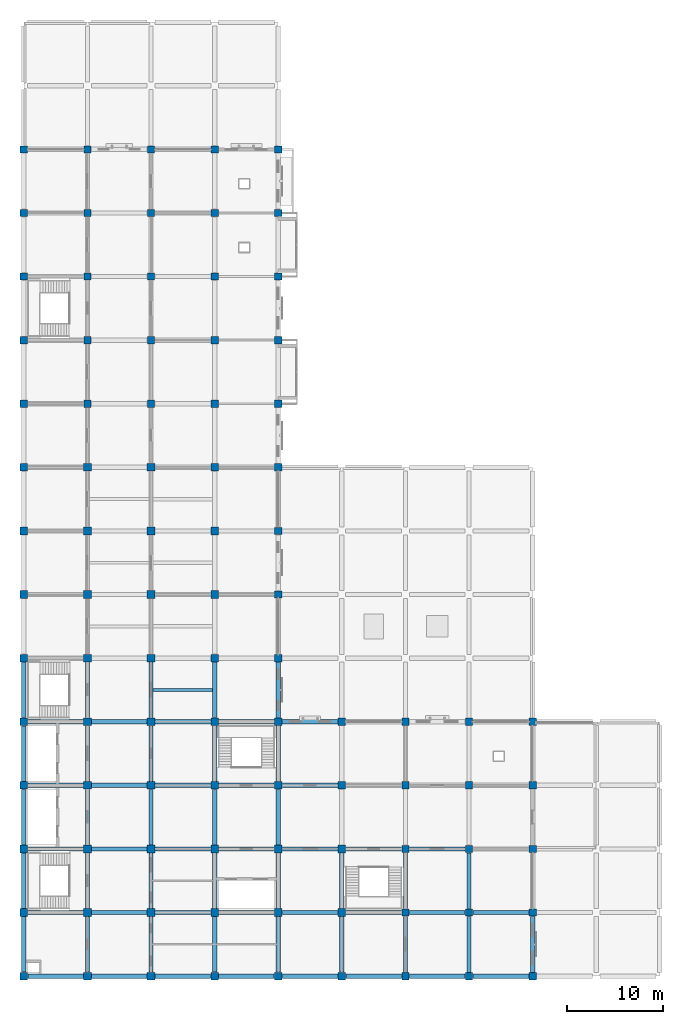
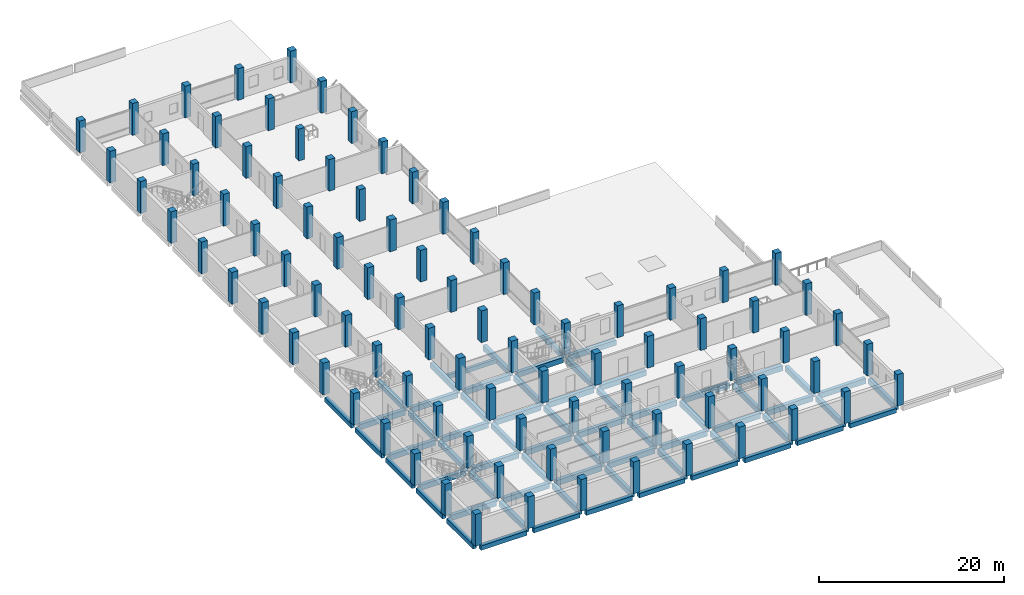
# One storey, part 1 of 23: 90 columns, 66 beams.
"""IFC4 building model written with IfcOpenShell, lengths in metres."""

from ifc_helpers import new_model, si_unit, direction, frame, origin, origin_2d, place, context, subcontext, project, spatial, rectangle, extrude, material, material_profile, profile_set, type_object, element, save


model = new_model("IFC4")

# Units and contexts
model_context = context("Model", 3, precision=1e-05, world=origin(), true_north=direction((0.0, 1.0)))
body_context = subcontext(model_context, "Body", "Model", "MODEL_VIEW")
ifc_project = project(units=[si_unit("LENGTHUNIT", "METRE"), si_unit("AREAUNIT", "SQUARE_METRE"), si_unit("VOLUMEUNIT", "CUBIC_METRE"), si_unit("PLANEANGLEUNIT", "RADIAN"), si_unit("MASSUNIT", "GRAM", prefix="KILO")], contexts=[model_context])

# Site, building, storey
site_placement = place(None, origin())
site = spatial("IfcSite", under=ifc_project, at=site_placement, CompositionType="ELEMENT")
building_placement = place(site_placement, origin())
building = spatial("IfcBuilding", under=site, at=building_placement, Name="Rusizi Kubbe Research Institute", CompositionType="ELEMENT")
storey_placement = place(building_placement, frame((0.0, 0.0, 18.60009765625)))
storey = spatial("IfcBuildingStorey", under=building, at=storey_placement, Name="L04", CompositionType="ELEMENT", Elevation=18.60009765625)

# Columns
ifc_material_1 = material(Name="Concrete C40/50", Category="concrete")
ifc_material_profile_1 = material_profile(ifc_material_1, rectangle(XDim=0.75, YDim=0.75, at=origin_2d()), Name="RC750x750")
ifc_profile_set_1 = profile_set([ifc_material_profile_1], Name="Concrete C40/50")
column_type_1 = type_object("IfcColumnType", Name="COL-750", PredefinedType="COLUMN", material=ifc_profile_set_1)
for number, where, z_axis, x_axis, name in (
    (1, (0.0, 59.39990234375, 0.0), (0.0, 0.0, 1.0), (1.0, 0.0, 0.0), "Column 1K L04"),
    (2, (0.0, 66.0, 0.0), (0.0, 0.0, 1.0), (1.0, 0.0, 0.0), "Column 1L L04"),
    (3, (0.0, 72.60009765625, 0.0), (0.0, 0.0, 1.0), (1.0, 0.0, 0.0), "Column 1M L04"),
    (4, (0.0, 79.199951171875, 0.0), (0.0, 0.0, 1.0), (1.0, 0.0, 0.0), "Column 1N L04"),
    (5, (0.0, 85.800048828125, 0.0), (0.0, 0.0, 1.0), (1.0, 0.0, 0.0), "Column 1P L04"),
    (6, (6.60009765625, 59.39990234375, 0.0), (0.0, 0.0, 1.0), (1.0, 0.0, 0.0), "Column 2K L04"),
    (7, (6.60009765625, 66.0, 0.0), (0.0, 0.0, 1.0), (1.0, 0.0, 0.0), "Column 2L L04"),
    (8, (6.60009765625, 72.60009765625, 0.0), (0.0, 0.0, 1.0), (1.0, 0.0, 0.0), "Column 2M L04"),
    (9, (6.60009765625, 79.199951171875, 0.0), (0.0, 0.0, 1.0), (1.0, 0.0, 0.0), "Column 2N L04"),
    (10, (6.60009765625, 85.800048828125, 0.0), (0.0, 0.0, 1.0), (1.0, 0.0, 0.0), "Column 2P L04"),
    (11, (13.199951171875, 59.39990234375, 0.0), (0.0, 0.0, 1.0), (1.0, 0.0, 0.0), "Column 3K L04"),
    (12, (13.199951171875, 66.0, 0.0), (0.0, 0.0, 1.0), (1.0, 0.0, 0.0), "Column 3L L04"),
    (13, (13.199951171875, 72.60009765625, 0.0), (0.0, 0.0, 1.0), (1.0, 0.0, 0.0), "Column 3M L04"),
    (14, (13.199951171875, 79.199951171875, 0.0), (0.0, 0.0, 1.0), (1.0, 0.0, 0.0), "Column 3N L04"),
    (15, (13.199951171875, 85.800048828125, 0.0), (0.0, 0.0, 1.0), (1.0, 0.0, 0.0), "Column 3P L04"),
    (16, (19.800048828125, 59.39990234375, 0.0), (0.0, 0.0, 1.0), (1.0, 0.0, 0.0), "Column 4K L04"),
    (17, (19.800048828125, 66.0, 0.0), (0.0, 0.0, 1.0), (1.0, 0.0, 0.0), "Column 4L L04"),
    (18, (19.800048828125, 72.60009765625, 0.0), (0.0, 0.0, 1.0), (1.0, 0.0, 0.0), "Column 4M L04"),
    (19, (19.800048828125, 79.199951171875, 0.0), (0.0, 0.0, 1.0), (1.0, 0.0, 0.0), "Column 4N L04"),
    (20, (19.800048828125, 85.800048828125, 0.0), (0.0, 0.0, 1.0), (1.0, 0.0, 0.0), "Column 4P L04"),
    (21, (26.39990234375, 26.39990234375, 0.0), (0.0, 0.0, 1.0), (1.0, 0.0, 0.0), "Column 5E L04"),
    (22, (26.39990234375, 33.0, 0.0), (0.0, 0.0, 1.0), (1.0, 0.0, 0.0), "Column 5F L04"),
    (23, (26.39990234375, 39.60009765625, 0.0), (0.0, 0.0, 1.0), (1.0, 0.0, 0.0), "Column 5G L04"),
    (24, (26.39990234375, 46.199951171875, 0.0), (0.0, 0.0, 1.0), (1.0, 0.0, 0.0), "Column 5H L04"),
    (25, (26.39990234375, 52.800048828125, 0.0), (0.0, 0.0, 1.0), (1.0, 0.0, 0.0), "Column 5J L04"),
    (26, (26.39990234375, 59.39990234375, 0.0), (0.0, 0.0, 1.0), (1.0, 0.0, 0.0), "Column 5K L04"),
    (27, (26.39990234375, 66.0, 0.0), (0.0, 0.0, 1.0), (1.0, 0.0, 0.0), "Column 5L L04"),
    (28, (26.39990234375, 72.60009765625, 0.0), (0.0, 0.0, 1.0), (1.0, 0.0, 0.0), "Column 5M L04"),
    (29, (26.39990234375, 79.199951171875, 0.0), (0.0, 0.0, 1.0), (1.0, 0.0, 0.0), "Column 5N L04"),
    (30, (26.39990234375, 85.800048828125, 0.0), (0.0, 0.0, 1.0), (1.0, 0.0, 0.0), "Column 5P L04"),
    (31, (33.0, 26.39990234375, 0.0), (0.0, 0.0, 1.0), (1.0, 0.0, 0.0), "Column 6E L04"),
    (32, (39.60009765625, 0.0, 0.0), (0.0, 0.0, 1.0), (1.0, 0.0, 0.0), "Column 7A L04"),
    (33, (39.60009765625, 6.60009765625, 0.0), (0.0, 0.0, 1.0), (1.0, 0.0, 0.0), "Column 7B L04"),
    (34, (39.60009765625, 13.199951171875, 0.0), (0.0, 0.0, 1.0), (1.0, 0.0, 0.0), "Column 7C L04"),
    (35, (39.60009765625, 19.800048828125, 0.0), (0.0, 0.0, 1.0), (1.0, 0.0, 0.0), "Column 7D L04"),
    (36, (39.60009765625, 26.39990234375, 0.0), (0.0, 0.0, 1.0), (1.0, 0.0, 0.0), "Column 7E L04"),
    (37, (46.199951171875, 0.0, 0.0), (0.0, 0.0, 1.0), (1.0, 0.0, 0.0), "Column 8A L04"),
    (38, (46.199951171875, 6.60009765625, 0.0), (0.0, 0.0, 1.0), (1.0, 0.0, 0.0), "Column 8B L04"),
    (39, (46.199951171875, 13.199951171875, 0.0), (0.0, 0.0, 1.0), (1.0, 0.0, 0.0), "Column 8C L04"),
    (40, (46.199951171875, 19.800048828125, 0.0), (0.0, 0.0, 1.0), (1.0, 0.0, 0.0), "Column 8D L04"),
    (41, (46.199951171875, 26.39990234375, 0.0), (0.0, 0.0, 1.0), (1.0, 0.0, 0.0), "Column 8E L04"),
    (42, (52.800048828125, 0.0, 0.0), (0.0, 0.0, 1.0), (1.0, 0.0, 0.0), "Column 9A L04"),
    (43, (52.800048828125, 6.60009765625, 0.0), (0.0, 0.0, 1.0), (1.0, 0.0, 0.0), "Column 9B L04"),
    (44, (52.800048828125, 13.199951171875, 0.0), (0.0, 0.0, 1.0), (1.0, 0.0, 0.0), "Column 9C L04"),
    (45, (52.800048828125, 19.800048828125, 0.0), (0.0, 0.0, 1.0), (1.0, 0.0, 0.0), "Column 9D L04"),
    (46, (52.800048828125, 26.39990234375, 0.0), (0.0, 0.0, 1.0), (1.0, 0.0, 0.0), "Column 9E L04"),
):
    element("IfcColumn", number, at=place(storey_placement, frame(where, z_axis=z_axis, x_axis=x_axis)), inside=storey, type_object=column_type_1, Name=name, PredefinedType="COLUMN", context=body_context, shape_type="SweptSolid", body=[
        extrude(rectangle(XDim=0.75, YDim=0.75, at=origin_2d()), origin(), (0.0, 0.0, 1.0), 4.199951171875),
    ])
ifc_material_2 = material(Name="Concrete C45/55", Category="concrete")
ifc_material_profile_2 = material_profile(ifc_material_2, rectangle(XDim=0.800048828125, YDim=0.800048828125, at=origin_2d()), Name="RC800x800")
ifc_profile_set_2 = profile_set([ifc_material_profile_2], Name="Concrete C45/55")
column_type_2 = type_object("IfcColumnType", Name="COL-800", PredefinedType="COLUMN", material=ifc_profile_set_2)
for number, where, z_axis, x_axis, name in (
    (47, (0.0, 0.0, 0.0), (0.0, 0.0, 1.0), (1.0, 0.0, 0.0), "Column 1A L04"),
    (48, (0.0, 6.60009765625, 0.0), (0.0, 0.0, 1.0), (1.0, 0.0, 0.0), "Column 1B L04"),
    (49, (0.0, 13.199951171875, 0.0), (0.0, 0.0, 1.0), (1.0, 0.0, 0.0), "Column 1C L04"),
    (50, (0.0, 19.800048828125, 0.0), (0.0, 0.0, 1.0), (1.0, 0.0, 0.0), "Column 1D L04"),
    (51, (0.0, 26.39990234375, 0.0), (0.0, 0.0, 1.0), (1.0, 0.0, 0.0), "Column 1E L04"),
    (52, (0.0, 33.0, 0.0), (0.0, 0.0, 1.0), (1.0, 0.0, 0.0), "Column 1F L04"),
    (53, (0.0, 39.60009765625, 0.0), (0.0, 0.0, 1.0), (1.0, 0.0, 0.0), "Column 1G L04"),
    (54, (0.0, 46.199951171875, 0.0), (0.0, 0.0, 1.0), (1.0, 0.0, 0.0), "Column 1H L04"),
    (55, (0.0, 52.800048828125, 0.0), (0.0, 0.0, 1.0), (1.0, 0.0, 0.0), "Column 1J L04"),
    (56, (6.60009765625, 0.0, 0.0), (0.0, 0.0, 1.0), (1.0, 0.0, 0.0), "Column 2A L04"),
    (57, (6.60009765625, 6.60009765625, 0.0), (0.0, 0.0, 1.0), (1.0, 0.0, 0.0), "Column 2B L04"),
    (58, (6.60009765625, 13.199951171875, 0.0), (0.0, 0.0, 1.0), (1.0, 0.0, 0.0), "Column 2C L04"),
    (59, (6.60009765625, 19.800048828125, 0.0), (0.0, 0.0, 1.0), (1.0, 0.0, 0.0), "Column 2D L04"),
    (60, (6.60009765625, 26.39990234375, 0.0), (0.0, 0.0, 1.0), (1.0, 0.0, 0.0), "Column 2E L04"),
    (61, (6.60009765625, 33.0, 0.0), (0.0, 0.0, 1.0), (1.0, 0.0, 0.0), "Column 2F L04"),
    (62, (6.60009765625, 39.60009765625, 0.0), (0.0, 0.0, 1.0), (1.0, 0.0, 0.0), "Column 2G L04"),
    (63, (6.60009765625, 46.199951171875, 0.0), (0.0, 0.0, 1.0), (1.0, 0.0, 0.0), "Column 2H L04"),
    (64, (6.60009765625, 52.800048828125, 0.0), (0.0, 0.0, 1.0), (1.0, 0.0, 0.0), "Column 2J L04"),
    (65, (13.199951171875, 0.0, 0.0), (0.0, 0.0, 1.0), (1.0, 0.0, 0.0), "Column 3A L04"),
    (66, (13.199951171875, 6.60009765625, 0.0), (0.0, 0.0, 1.0), (1.0, 0.0, 0.0), "Column 3B L04"),
    (67, (13.199951171875, 13.199951171875, 0.0), (0.0, 0.0, 1.0), (1.0, 0.0, 0.0), "Column 3C L04"),
    (68, (13.199951171875, 19.800048828125, 0.0), (0.0, 0.0, 1.0), (1.0, 0.0, 0.0), "Column 3D L04"),
    (69, (13.199951171875, 26.39990234375, 0.0), (0.0, 0.0, 1.0), (1.0, 0.0, 0.0), "Column 3E L04"),
    (70, (13.199951171875, 33.0, 0.0), (0.0, 0.0, 1.0), (1.0, 0.0, 0.0), "Column 3F L04"),
    (71, (13.199951171875, 39.60009765625, 0.0), (0.0, 0.0, 1.0), (1.0, 0.0, 0.0), "Column 3G L04"),
    (72, (13.199951171875, 46.199951171875, 0.0), (0.0, 0.0, 1.0), (1.0, 0.0, 0.0), "Column 3H L04"),
    (73, (13.199951171875, 52.800048828125, 0.0), (0.0, 0.0, 1.0), (1.0, 0.0, 0.0), "Column 3J L04"),
    (74, (19.800048828125, 0.0, 0.0), (0.0, 0.0, 1.0), (1.0, 0.0, 0.0), "Column 4A L04"),
    (75, (19.800048828125, 6.60009765625, 0.0), (0.0, 0.0, 1.0), (1.0, 0.0, 0.0), "Column 4B L04"),
    (76, (19.800048828125, 13.199951171875, 0.0), (0.0, 0.0, 1.0), (1.0, 0.0, 0.0), "Column 4C L04"),
    (77, (19.800048828125, 19.800048828125, 0.0), (0.0, 0.0, 1.0), (1.0, 0.0, 0.0), "Column 4D L04"),
    (78, (19.800048828125, 26.39990234375, 0.0), (0.0, 0.0, 1.0), (1.0, 0.0, 0.0), "Column 4E L04"),
    (79, (19.800048828125, 33.0, 0.0), (0.0, 0.0, 1.0), (1.0, 0.0, 0.0), "Column 4F L04"),
    (80, (19.800048828125, 39.60009765625, 0.0), (0.0, 0.0, 1.0), (1.0, 0.0, 0.0), "Column 4G L04"),
    (81, (19.800048828125, 46.199951171875, 0.0), (0.0, 0.0, 1.0), (1.0, 0.0, 0.0), "Column 4H L04"),
    (82, (19.800048828125, 52.800048828125, 0.0), (0.0, 0.0, 1.0), (1.0, 0.0, 0.0), "Column 4J L04"),
    (83, (26.39990234375, 0.0, 0.0), (0.0, 0.0, 1.0), (1.0, 0.0, 0.0), "Column 5A L04"),
    (84, (26.39990234375, 6.60009765625, 0.0), (0.0, 0.0, 1.0), (1.0, 0.0, 0.0), "Column 5B L04"),
    (85, (26.39990234375, 13.199951171875, 0.0), (0.0, 0.0, 1.0), (1.0, 0.0, 0.0), "Column 5C L04"),
    (86, (26.39990234375, 19.800048828125, 0.0), (0.0, 0.0, 1.0), (1.0, 0.0, 0.0), "Column 5D L04"),
    (87, (33.0, 0.0, 0.0), (0.0, 0.0, 1.0), (1.0, 0.0, 0.0), "Column 6A L04"),
    (88, (33.0, 6.60009765625, 0.0), (0.0, 0.0, 1.0), (1.0, 0.0, 0.0), "Column 6B L04"),
    (89, (33.0, 13.199951171875, 0.0), (0.0, 0.0, 1.0), (1.0, 0.0, 0.0), "Column 6C L04"),
    (90, (33.0, 19.800048828125, 0.0), (0.0, 0.0, 1.0), (1.0, 0.0, 0.0), "Column 6D L04"),
):
    element("IfcColumn", number, at=place(storey_placement, frame(where, z_axis=z_axis, x_axis=x_axis)), inside=storey, type_object=column_type_2, Name=name, PredefinedType="COLUMN", context=body_context, shape_type="SweptSolid", body=[
        extrude(rectangle(XDim=0.800048828125, YDim=0.800048828125, at=origin_2d()), origin(), (0.0, 0.0, 1.0), 4.199951171875),
    ])

# Beams
ifc_material_3 = material(Name="Concrete C40/50", Category="concrete")
ifc_material_profile_3 = material_profile(ifc_material_3, rectangle(XDim=0.35009765625, YDim=0.550048828125, at=origin_2d()), Name="RC350x550")
ifc_profile_set_3 = profile_set([ifc_material_profile_3], Name="Concrete C40/50")
beam_type_1 = type_object("IfcBeamType", Name="BM-RC350x550", PredefinedType="JOIST", material=ifc_profile_set_3)
beam_1_placement = place(storey_placement, frame((13.425048828125, 29.699951171875, -0.614990234375), z_axis=(1.0, 0.0, 0.0), x_axis=(0.0, 1.0, 0.0)))
element("IfcBeam", 91, at=beam_1_placement, inside=storey, type_object=beam_type_1, Name="Lab Stiffener Joist L04 (2,4)", PredefinedType="JOIST", context=body_context, shape_type="SweptSolid", body=[
    extrude(rectangle(XDim=0.35009765625, YDim=0.550048828125, at=origin_2d()), origin(), (0.0, 0.0, 1.0), 6.14990234375),
])
ifc_material_4 = material(Name="Concrete C40/50", Category="concrete")
ifc_material_profile_4 = material_profile(ifc_material_4, rectangle(XDim=0.449951171875, YDim=0.60009765625, at=origin_2d()), Name="RC450x600")
ifc_profile_set_4 = profile_set([ifc_material_profile_4], Name="Concrete C40/50")
beam_type_2 = type_object("IfcBeamType", Name="BM-RC450x600", PredefinedType="SPANDREL", material=ifc_profile_set_4)
for number, where, z_axis, x_axis, name in (
    (92, (0.425048828125, 0.0, -0.64013671875), (1.0, 0.0, 0.0), (0.0, 1.0, 0.0), "Grid Beam H L04 (0,0)"),
    (93, (7.02490234375, 0.0, -0.64013671875), (1.0, 0.0, 0.0), (0.0, 1.0, 0.0), "Grid Beam H L04 (1,0)"),
    (94, (13.625, 0.0, -0.64013671875), (1.0, 0.0, 0.0), (0.0, 1.0, 0.0), "Grid Beam H L04 (2,0)"),
    (95, (20.22509765625, 0.0, -0.64013671875), (1.0, 0.0, 0.0), (0.0, 1.0, 0.0), "Grid Beam H L04 (3,0)"),
    (96, (26.824951171875, 0.0, -0.64013671875), (1.0, 0.0, 0.0), (0.0, 1.0, 0.0), "Grid Beam H L04 (4,0)"),
):
    element("IfcBeam", number, at=place(storey_placement, frame(where, z_axis=z_axis, x_axis=x_axis)), inside=storey, type_object=beam_type_2, Name=name, PredefinedType="SPANDREL", context=body_context, shape_type="SweptSolid", body=[
        extrude(rectangle(XDim=0.449951171875, YDim=0.60009765625, at=origin_2d()), origin(), (0.0, 0.0, 1.0), 5.75),
    ])
beam_2_placement = place(storey_placement, frame((33.425048828125, 0.0, -0.64013671875), z_axis=(1.0, 0.0, 0.0), x_axis=(0.0, 1.0, 0.0)))
element("IfcBeam", 97, at=beam_2_placement, inside=storey, type_object=beam_type_2, Name="Grid Beam H L04 (5,0)", PredefinedType="SPANDREL", context=body_context, shape_type="SweptSolid", body=[
    extrude(rectangle(XDim=0.449951171875, YDim=0.60009765625, at=origin_2d()), origin(), (0.0, 0.0, 1.0), 5.77490234375),
])
beam_3_placement = place(storey_placement, frame((40.0, 0.0, -0.64013671875), z_axis=(1.0, 0.0, 0.0), x_axis=(0.0, 1.0, 0.0)))
element("IfcBeam", 98, at=beam_3_placement, inside=storey, type_object=beam_type_2, Name="Grid Beam H L04 (6,0)", PredefinedType="SPANDREL", context=body_context, shape_type="SweptSolid", body=[
    extrude(rectangle(XDim=0.449951171875, YDim=0.60009765625, at=origin_2d()), origin(), (0.0, 0.0, 1.0), 5.800048828125),
])
beam_4_placement = place(storey_placement, frame((46.60009765625, 0.0, -0.64013671875), z_axis=(1.0, 0.0, 0.0), x_axis=(0.0, 1.0, 0.0)))
element("IfcBeam", 99, at=beam_4_placement, inside=storey, type_object=beam_type_2, Name="Grid Beam H L04 (7,0)", PredefinedType="SPANDREL", context=body_context, shape_type="SweptSolid", body=[
    extrude(rectangle(XDim=0.449951171875, YDim=0.60009765625, at=origin_2d()), origin(), (0.0, 0.0, 1.0), 5.7998046875),
])
for number, where, z_axis, x_axis, name in (
    (100, (0.0, 0.425048828125, -0.64013671875), (0.0, 1.0, 0.0), (-1.0, 0.0, 0.0), "Grid Beam V L04 (0,0)"),
    (101, (0.0, 7.02490234375, -0.64013671875), (0.0, 1.0, 0.0), (-1.0, 0.0, 0.0), "Grid Beam V L04 (0,1)"),
    (102, (0.0, 13.625, -0.64013671875), (0.0, 1.0, 0.0), (-1.0, 0.0, 0.0), "Grid Beam V L04 (0,2)"),
    (103, (0.0, 20.22509765625, -0.64013671875), (0.0, 1.0, 0.0), (-1.0, 0.0, 0.0), "Grid Beam V L04 (0,3)"),
    (104, (0.0, 26.824951171875, -0.64013671875), (0.0, 1.0, 0.0), (-1.0, 0.0, 0.0), "Grid Beam V L04 (0,4)"),
):
    element("IfcBeam", number, at=place(storey_placement, frame(where, z_axis=z_axis, x_axis=x_axis)), inside=storey, type_object=beam_type_2, Name=name, PredefinedType="SPANDREL", context=body_context, shape_type="SweptSolid", body=[
        extrude(rectangle(XDim=0.449951171875, YDim=0.60009765625, at=origin_2d()), origin(), (0.0, 0.0, 1.0), 5.75),
    ])
ifc_material_5 = material(Name="Concrete C40/50", Category="concrete")
ifc_material_profile_5 = material_profile(ifc_material_5, rectangle(XDim=0.449951171875, YDim=0.699951171875, at=origin_2d()), Name="RC450x700B")
ifc_profile_set_5 = profile_set([ifc_material_profile_5], Name="Concrete C40/50")
beam_type_3 = type_object("IfcBeamType", Name="BM-RC450x700", PredefinedType="BEAM", material=ifc_profile_set_5)
for number, where, z_axis, x_axis, name in (
    (105, (0.425048828125, 6.60009765625, -0.690185546875), (1.0, 0.0, 0.0), (0.0, 1.0, 0.0), "Grid Beam H L04 (0,1)"),
    (106, (0.425048828125, 13.199951171875, -0.690185546875), (1.0, 0.0, 0.0), (0.0, 1.0, 0.0), "Grid Beam H L04 (0,2)"),
    (107, (0.425048828125, 19.800048828125, -0.690185546875), (1.0, 0.0, 0.0), (0.0, 1.0, 0.0), "Grid Beam H L04 (0,3)"),
    (108, (0.425048828125, 26.39990234375, -0.690185546875), (1.0, 0.0, 0.0), (0.0, 1.0, 0.0), "Grid Beam H L04 (0,4)"),
    (109, (7.02490234375, 6.60009765625, -0.690185546875), (1.0, 0.0, 0.0), (0.0, 1.0, 0.0), "Grid Beam H L04 (1,1)"),
    (110, (7.02490234375, 13.199951171875, -0.690185546875), (1.0, 0.0, 0.0), (0.0, 1.0, 0.0), "Grid Beam H L04 (1,2)"),
    (111, (7.02490234375, 19.800048828125, -0.690185546875), (1.0, 0.0, 0.0), (0.0, 1.0, 0.0), "Grid Beam H L04 (1,3)"),
    (112, (7.02490234375, 26.39990234375, -0.690185546875), (1.0, 0.0, 0.0), (0.0, 1.0, 0.0), "Grid Beam H L04 (1,4)"),
    (113, (13.625, 6.60009765625, -0.690185546875), (1.0, 0.0, 0.0), (0.0, 1.0, 0.0), "Grid Beam H L04 (2,1)"),
    (114, (13.625, 13.199951171875, -0.690185546875), (1.0, 0.0, 0.0), (0.0, 1.0, 0.0), "Grid Beam H L04 (2,2)"),
    (115, (13.625, 19.800048828125, -0.690185546875), (1.0, 0.0, 0.0), (0.0, 1.0, 0.0), "Grid Beam H L04 (2,3)"),
    (116, (13.625, 26.39990234375, -0.690185546875), (1.0, 0.0, 0.0), (0.0, 1.0, 0.0), "Grid Beam H L04 (2,4)"),
    (117, (20.22509765625, 6.60009765625, -0.690185546875), (1.0, 0.0, 0.0), (0.0, 1.0, 0.0), "Grid Beam H L04 (3,1)"),
    (118, (20.22509765625, 13.199951171875, -0.690185546875), (1.0, 0.0, 0.0), (0.0, 1.0, 0.0), "Grid Beam H L04 (3,2)"),
    (119, (20.22509765625, 19.800048828125, -0.690185546875), (1.0, 0.0, 0.0), (0.0, 1.0, 0.0), "Grid Beam H L04 (3,3)"),
):
    element("IfcBeam", number, at=place(storey_placement, frame(where, z_axis=z_axis, x_axis=x_axis)), inside=storey, type_object=beam_type_3, Name=name, PredefinedType="BEAM", context=body_context, shape_type="SweptSolid", body=[
        extrude(rectangle(XDim=0.449951171875, YDim=0.699951171875, at=origin_2d()), origin(), (0.0, 0.0, 1.0), 5.75),
    ])
beam_5_placement = place(storey_placement, frame((20.22509765625, 26.39990234375, -0.690185546875), z_axis=(1.0, 0.0, 0.0), x_axis=(0.0, 1.0, 0.0)))
element("IfcBeam", 120, at=beam_5_placement, inside=storey, type_object=beam_type_3, Name="Grid Beam H L04 (3,4)", PredefinedType="BEAM", context=body_context, shape_type="SweptSolid", body=[
    extrude(rectangle(XDim=0.449951171875, YDim=0.699951171875, at=origin_2d()), origin(), (0.0, 0.0, 1.0), 5.77490234375),
])
for number, where, z_axis, x_axis, name in (
    (121, (26.824951171875, 6.60009765625, -0.690185546875), (1.0, 0.0, 0.0), (0.0, 1.0, 0.0), "Grid Beam H L04 (4,1)"),
    (122, (26.824951171875, 13.199951171875, -0.690185546875), (1.0, 0.0, 0.0), (0.0, 1.0, 0.0), "Grid Beam H L04 (4,2)"),
    (123, (26.824951171875, 19.800048828125, -0.690185546875), (1.0, 0.0, 0.0), (0.0, 1.0, 0.0), "Grid Beam H L04 (4,3)"),
):
    element("IfcBeam", number, at=place(storey_placement, frame(where, z_axis=z_axis, x_axis=x_axis)), inside=storey, type_object=beam_type_3, Name=name, PredefinedType="BEAM", context=body_context, shape_type="SweptSolid", body=[
        extrude(rectangle(XDim=0.449951171875, YDim=0.699951171875, at=origin_2d()), origin(), (0.0, 0.0, 1.0), 5.75),
    ])
beam_6_placement = place(storey_placement, frame((26.800048828125, 26.39990234375, -0.690185546875), z_axis=(1.0, 0.0, 0.0), x_axis=(0.0, 1.0, 0.0)))
element("IfcBeam", 124, at=beam_6_placement, inside=storey, type_object=beam_type_3, Name="Grid Beam H L04 (4,4)", PredefinedType="BEAM", context=body_context, shape_type="SweptSolid", body=[
    extrude(rectangle(XDim=0.449951171875, YDim=0.699951171875, at=origin_2d()), origin(), (0.0, 0.0, 1.0), 5.800048828125),
])
for number, where, z_axis, x_axis, name in (
    (125, (33.425048828125, 6.60009765625, -0.690185546875), (1.0, 0.0, 0.0), (0.0, 1.0, 0.0), "Grid Beam H L04 (5,1)"),
    (126, (33.425048828125, 13.199951171875, -0.690185546875), (1.0, 0.0, 0.0), (0.0, 1.0, 0.0), "Grid Beam H L04 (5,2)"),
):
    element("IfcBeam", number, at=place(storey_placement, frame(where, z_axis=z_axis, x_axis=x_axis)), inside=storey, type_object=beam_type_3, Name=name, PredefinedType="BEAM", context=body_context, shape_type="SweptSolid", body=[
        extrude(rectangle(XDim=0.449951171875, YDim=0.699951171875, at=origin_2d()), origin(), (0.0, 0.0, 1.0), 5.77490234375),
    ])
for number, where, z_axis, x_axis, name in (
    (127, (40.0, 6.60009765625, -0.690185546875), (1.0, 0.0, 0.0), (0.0, 1.0, 0.0), "Grid Beam H L04 (6,1)"),
    (128, (40.0, 13.199951171875, -0.690185546875), (1.0, 0.0, 0.0), (0.0, 1.0, 0.0), "Grid Beam H L04 (6,2)"),
):
    element("IfcBeam", number, at=place(storey_placement, frame(where, z_axis=z_axis, x_axis=x_axis)), inside=storey, type_object=beam_type_3, Name=name, PredefinedType="BEAM", context=body_context, shape_type="SweptSolid", body=[
        extrude(rectangle(XDim=0.449951171875, YDim=0.699951171875, at=origin_2d()), origin(), (0.0, 0.0, 1.0), 5.800048828125),
    ])
beam_7_placement = place(storey_placement, frame((46.60009765625, 6.60009765625, -0.690185546875), z_axis=(1.0, 0.0, 0.0), x_axis=(0.0, 1.0, 0.0)))
element("IfcBeam", 129, at=beam_7_placement, inside=storey, type_object=beam_type_3, Name="Grid Beam H L04 (7,1)", PredefinedType="BEAM", context=body_context, shape_type="SweptSolid", body=[
    extrude(rectangle(XDim=0.449951171875, YDim=0.699951171875, at=origin_2d()), origin(), (0.0, 0.0, 1.0), 5.7998046875),
])
for number, where, z_axis, x_axis, name in (
    (130, (6.60009765625, 0.425048828125, -0.690185546875), (0.0, 1.0, 0.0), (-1.0, 0.0, 0.0), "Grid Beam V L04 (1,0)"),
    (131, (6.60009765625, 7.02490234375, -0.690185546875), (0.0, 1.0, 0.0), (-1.0, 0.0, 0.0), "Grid Beam V L04 (1,1)"),
    (132, (6.60009765625, 13.625, -0.690185546875), (0.0, 1.0, 0.0), (-1.0, 0.0, 0.0), "Grid Beam V L04 (1,2)"),
    (133, (6.60009765625, 20.22509765625, -0.690185546875), (0.0, 1.0, 0.0), (-1.0, 0.0, 0.0), "Grid Beam V L04 (1,3)"),
    (134, (6.60009765625, 26.824951171875, -0.690185546875), (0.0, 1.0, 0.0), (-1.0, 0.0, 0.0), "Grid Beam V L04 (1,4)"),
    (135, (13.199951171875, 0.425048828125, -0.690185546875), (0.0, 1.0, 0.0), (-1.0, 0.0, 0.0), "Grid Beam V L04 (2,0)"),
    (136, (13.199951171875, 7.02490234375, -0.690185546875), (0.0, 1.0, 0.0), (-1.0, 0.0, 0.0), "Grid Beam V L04 (2,1)"),
    (137, (13.199951171875, 13.625, -0.690185546875), (0.0, 1.0, 0.0), (-1.0, 0.0, 0.0), "Grid Beam V L04 (2,2)"),
    (138, (13.199951171875, 20.22509765625, -0.690185546875), (0.0, 1.0, 0.0), (-1.0, 0.0, 0.0), "Grid Beam V L04 (2,3)"),
    (139, (13.199951171875, 26.824951171875, -0.690185546875), (0.0, 1.0, 0.0), (-1.0, 0.0, 0.0), "Grid Beam V L04 (2,4)"),
    (140, (19.800048828125, 0.425048828125, -0.690185546875), (0.0, 1.0, 0.0), (-1.0, 0.0, 0.0), "Grid Beam V L04 (3,0)"),
    (141, (19.800048828125, 7.02490234375, -0.690185546875), (0.0, 1.0, 0.0), (-1.0, 0.0, 0.0), "Grid Beam V L04 (3,1)"),
    (142, (19.800048828125, 13.625, -0.690185546875), (0.0, 1.0, 0.0), (-1.0, 0.0, 0.0), "Grid Beam V L04 (3,2)"),
    (143, (19.800048828125, 20.22509765625, -0.690185546875), (0.0, 1.0, 0.0), (-1.0, 0.0, 0.0), "Grid Beam V L04 (3,3)"),
    (144, (19.800048828125, 26.824951171875, -0.690185546875), (0.0, 1.0, 0.0), (-1.0, 0.0, 0.0), "Grid Beam V L04 (3,4)"),
    (145, (26.39990234375, 0.425048828125, -0.690185546875), (0.0, 1.0, 0.0), (-1.0, 0.0, 0.0), "Grid Beam V L04 (4,0)"),
    (146, (26.39990234375, 7.02490234375, -0.690185546875), (0.0, 1.0, 0.0), (-1.0, 0.0, 0.0), "Grid Beam V L04 (4,1)"),
    (147, (26.39990234375, 13.625, -0.690185546875), (0.0, 1.0, 0.0), (-1.0, 0.0, 0.0), "Grid Beam V L04 (4,2)"),
):
    element("IfcBeam", number, at=place(storey_placement, frame(where, z_axis=z_axis, x_axis=x_axis)), inside=storey, type_object=beam_type_3, Name=name, PredefinedType="BEAM", context=body_context, shape_type="SweptSolid", body=[
        extrude(rectangle(XDim=0.449951171875, YDim=0.699951171875, at=origin_2d()), origin(), (0.0, 0.0, 1.0), 5.75),
    ])
beam_8_placement = place(storey_placement, frame((26.39990234375, 20.22509765625, -0.690185546875), z_axis=(0.0, 1.0, 0.0), x_axis=(-1.0, 0.0, 0.0)))
element("IfcBeam", 148, at=beam_8_placement, inside=storey, type_object=beam_type_3, Name="Grid Beam V L04 (4,3)", PredefinedType="BEAM", context=body_context, shape_type="SweptSolid", body=[
    extrude(rectangle(XDim=0.449951171875, YDim=0.699951171875, at=origin_2d()), origin(), (0.0, 0.0, 1.0), 5.77490234375),
])
beam_9_placement = place(storey_placement, frame((26.39990234375, 26.800048828125, -0.690185546875), z_axis=(0.0, 1.0, 0.0), x_axis=(-1.0, 0.0, 0.0)))
element("IfcBeam", 149, at=beam_9_placement, inside=storey, type_object=beam_type_3, Name="Grid Beam V L04 (4,4)", PredefinedType="BEAM", context=body_context, shape_type="SweptSolid", body=[
    extrude(rectangle(XDim=0.449951171875, YDim=0.699951171875, at=origin_2d()), origin(), (0.0, 0.0, 1.0), 5.800048828125),
])
for number, where, z_axis, x_axis, name in (
    (150, (33.0, 0.425048828125, -0.690185546875), (0.0, 1.0, 0.0), (-1.0, 0.0, 0.0), "Grid Beam V L04 (5,0)"),
    (151, (33.0, 7.02490234375, -0.690185546875), (0.0, 1.0, 0.0), (-1.0, 0.0, 0.0), "Grid Beam V L04 (5,1)"),
):
    element("IfcBeam", number, at=place(storey_placement, frame(where, z_axis=z_axis, x_axis=x_axis)), inside=storey, type_object=beam_type_3, Name=name, PredefinedType="BEAM", context=body_context, shape_type="SweptSolid", body=[
        extrude(rectangle(XDim=0.449951171875, YDim=0.699951171875, at=origin_2d()), origin(), (0.0, 0.0, 1.0), 5.75),
    ])
for number, where, z_axis, x_axis, name in (
    (152, (39.60009765625, 0.39990234375, -0.690185546875), (0.0, 1.0, 0.0), (-1.0, 0.0, 0.0), "Grid Beam V L04 (6,0)"),
    (153, (39.60009765625, 7.0, -0.690185546875), (0.0, 1.0, 0.0), (-1.0, 0.0, 0.0), "Grid Beam V L04 (6,1)"),
    (154, (46.199951171875, 0.39990234375, -0.690185546875), (0.0, 1.0, 0.0), (-1.0, 0.0, 0.0), "Grid Beam V L04 (7,0)"),
    (155, (46.199951171875, 7.0, -0.690185546875), (0.0, 1.0, 0.0), (-1.0, 0.0, 0.0), "Grid Beam V L04 (7,1)"),
    (156, (52.800048828125, 0.39990234375, -0.690185546875), (0.0, 1.0, 0.0), (-1.0, 0.0, 0.0), "Grid Beam V L04 (8,0)"),
):
    element("IfcBeam", number, at=place(storey_placement, frame(where, z_axis=z_axis, x_axis=x_axis)), inside=storey, type_object=beam_type_3, Name=name, PredefinedType="BEAM", context=body_context, shape_type="SweptSolid", body=[
        extrude(rectangle(XDim=0.449951171875, YDim=0.699951171875, at=origin_2d()), origin(), (0.0, 0.0, 1.0), 5.800048828125),
    ])

save(model, "model.ifc")
